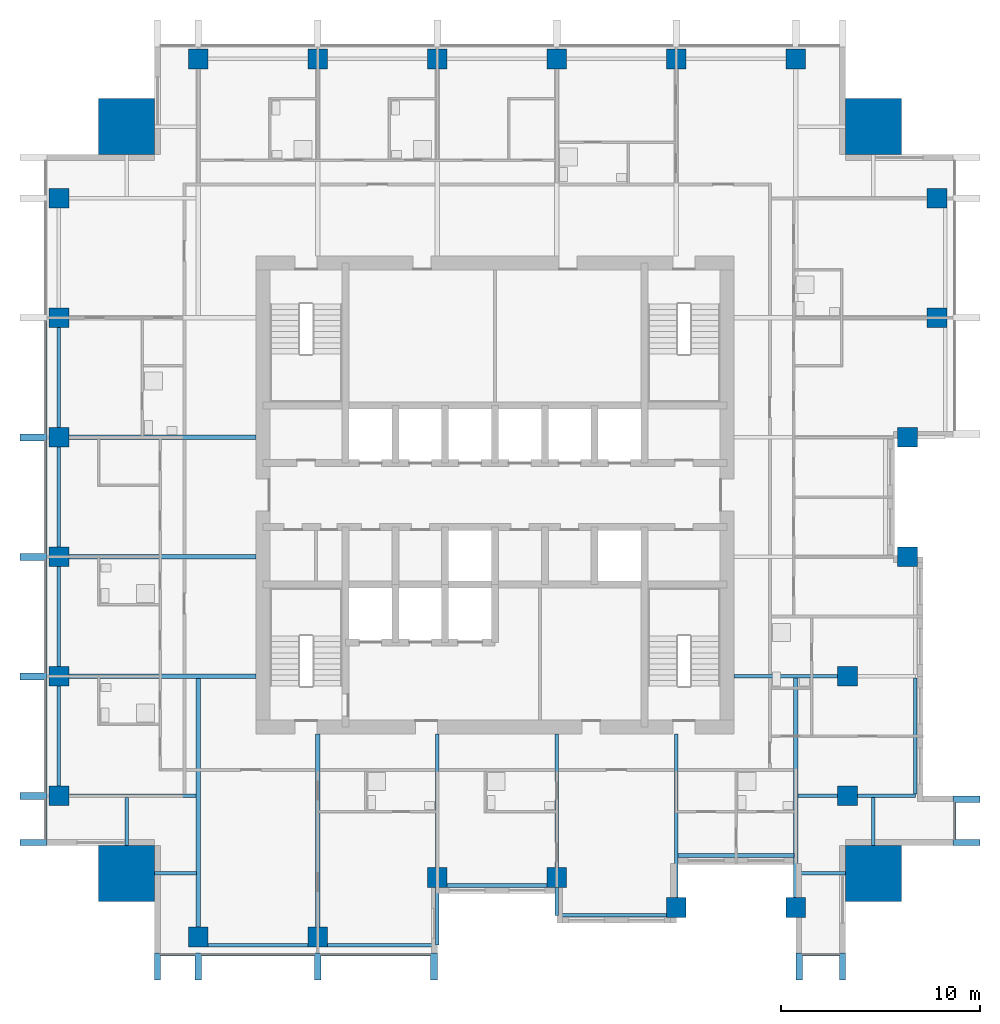
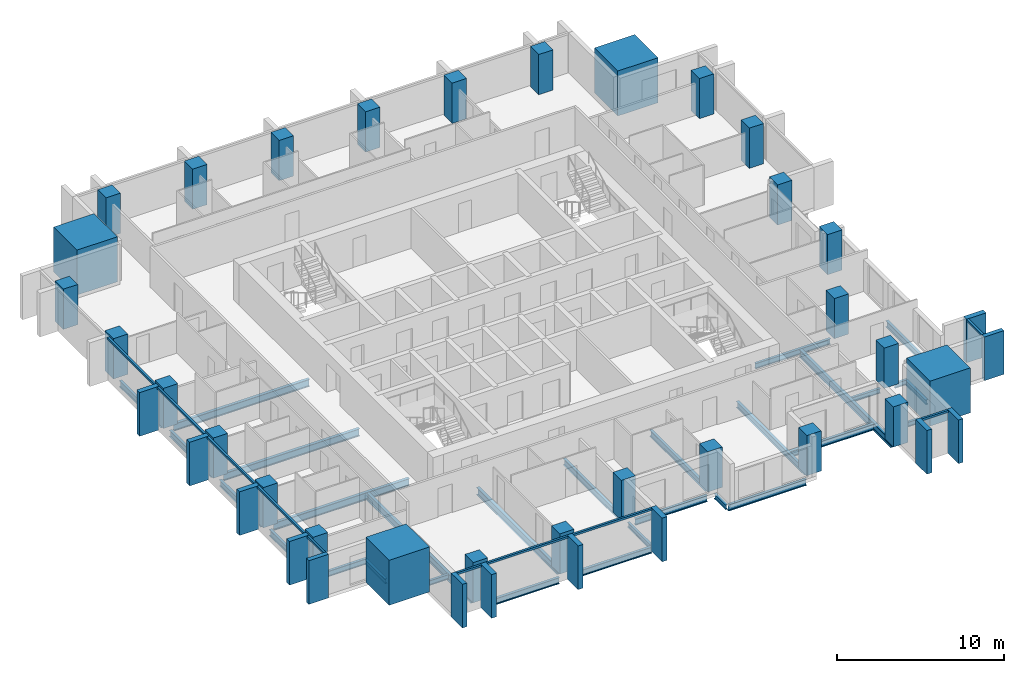
# One storey, part 1 of 10: 29 beams, 28 columns, 23 members, 4 elements without a shape of their own.
"""IFC4 building model written with IfcOpenShell, lengths in metres."""

from ifc_helpers import new_model, si_unit, direction, frame, origin, origin_2d, place, context, subcontext, project, spatial, rectangle, i_section, extrude, material, material_profile, profile_set, type_object, element, aggregate, save


model = new_model("IFC4")

# Units and contexts
model_context = context("Model", 3, precision=1e-05, world=origin(), true_north=direction((0.0, 1.0)))
body_context = subcontext(model_context, "Body", "Model", "MODEL_VIEW")
ifc_project = project(units=[si_unit("LENGTHUNIT", "METRE"), si_unit("AREAUNIT", "SQUARE_METRE"), si_unit("VOLUMEUNIT", "CUBIC_METRE"), si_unit("PLANEANGLEUNIT", "RADIAN"), si_unit("MASSUNIT", "GRAM", prefix="KILO")], contexts=[model_context])

# Site, building, storey
site_placement = place(None, origin())
site = spatial("IfcSite", under=ifc_project, at=site_placement, CompositionType="ELEMENT")
building_placement = place(site_placement, origin())
building = spatial("IfcBuilding", under=site, at=building_placement, Name="Amberfall Residences", CompositionType="ELEMENT")
storey_placement = place(building_placement, frame((0.0, 0.0, 174.699951171875)))
storey = spatial("IfcBuildingStorey", under=building, at=storey_placement, Name="L47", CompositionType="ELEMENT", Elevation=174.699951171875)

# Columns
ifc_material_1 = material(Name="Concrete C60", Category="concrete")
ifc_material_profile_1 = material_profile(ifc_material_1, rectangle(XDim=1.0, YDim=1.0, at=origin_2d()), Name="Column 1000 x 1000 C60")
ifc_profile_set_1 = profile_set([ifc_material_profile_1], Name="Concrete C60")
column_type_1 = type_object("IfcColumnType", Name="Column 1000 x 1000 C60", PredefinedType="COLUMN", material=ifc_profile_set_1)
for number, where, z_axis, x_axis, name in (
    (1, (59.60009765625, 23.300048828125, 0.0), (0.0, 0.0, 1.0), (1.0, 0.0, 0.0), "Column C3 L47 S1"),
    (2, (65.60009765625, 23.300048828125, 0.0), (0.0, 0.0, 1.0), (1.0, 0.0, 0.0), "Column C3 L47 S2"),
    (3, (71.60009765625, 26.300048828125, 0.0), (0.0, 0.0, 1.0), (1.0, 0.0, 0.0), "Column C3 L47 S3"),
    (4, (77.60009765625, 26.300048828125, 0.0), (0.0, 0.0, 1.0), (1.0, 0.0, 0.0), "Column C3 L47 S4"),
    (5, (83.60009765625, 24.800048828125, 0.0), (0.0, 0.0, 1.0), (1.0, 0.0, 0.0), "Column C3 L47 S5"),
    (6, (89.60009765625, 24.800048828125, 0.0), (0.0, 0.0, 1.0), (1.0, 0.0, 0.0), "Column C3 L47 S6"),
    (7, (92.199951171875, 30.39990234375, 0.0), (0.0, 0.0, 1.0), (1.0, 0.0, 0.0), "Column C3 L47 E1"),
    (8, (92.199951171875, 36.39990234375, 0.0), (0.0, 0.0, 1.0), (1.0, 0.0, 0.0), "Column C3 L47 E2"),
    (9, (95.199951171875, 42.39990234375, 0.0), (0.0, 0.0, 1.0), (1.0, 0.0, 0.0), "Column C3 L47 E3"),
    (10, (95.199951171875, 48.39990234375, 0.0), (0.0, 0.0, 1.0), (1.0, 0.0, 0.0), "Column C3 L47 E4"),
    (11, (96.699951171875, 54.39990234375, 0.0), (0.0, 0.0, 1.0), (1.0, 0.0, 0.0), "Column C3 L47 E5"),
    (12, (96.699951171875, 60.39990234375, 0.0), (0.0, 0.0, 1.0), (1.0, 0.0, 0.0), "Column C3 L47 E6"),
    (13, (59.60009765625, 67.39990234375, 0.0), (0.0, 0.0, 1.0), (1.0, 0.0, 0.0), "Column C3 L47 N1"),
    (14, (65.60009765625, 67.39990234375, 0.0), (0.0, 0.0, 1.0), (1.0, 0.0, 0.0), "Column C3 L47 N2"),
    (15, (71.60009765625, 67.39990234375, 0.0), (0.0, 0.0, 1.0), (1.0, 0.0, 0.0), "Column C3 L47 N3"),
    (16, (77.60009765625, 67.39990234375, 0.0), (0.0, 0.0, 1.0), (1.0, 0.0, 0.0), "Column C3 L47 N4"),
    (17, (83.60009765625, 67.39990234375, 0.0), (0.0, 0.0, 1.0), (1.0, 0.0, 0.0), "Column C3 L47 N5"),
    (18, (89.60009765625, 67.39990234375, 0.0), (0.0, 0.0, 1.0), (1.0, 0.0, 0.0), "Column C3 L47 N6"),
    (19, (52.60009765625, 30.39990234375, 0.0), (0.0, 0.0, 1.0), (1.0, 0.0, 0.0), "Column C3 L47 W1"),
    (20, (52.60009765625, 36.39990234375, 0.0), (0.0, 0.0, 1.0), (1.0, 0.0, 0.0), "Column C3 L47 W2"),
    (21, (52.60009765625, 42.39990234375, 0.0), (0.0, 0.0, 1.0), (1.0, 0.0, 0.0), "Column C3 L47 W3"),
    (22, (52.60009765625, 48.39990234375, 0.0), (0.0, 0.0, 1.0), (1.0, 0.0, 0.0), "Column C3 L47 W4"),
    (23, (52.60009765625, 54.39990234375, 0.0), (0.0, 0.0, 1.0), (1.0, 0.0, 0.0), "Column C3 L47 W5"),
    (24, (52.60009765625, 60.39990234375, 0.0), (0.0, 0.0, 1.0), (1.0, 0.0, 0.0), "Column C3 L47 W6"),
):
    element("IfcColumn", number, at=place(storey_placement, frame(where, z_axis=z_axis, x_axis=x_axis)), inside=storey, type_object=column_type_1, Name=name, PredefinedType="COLUMN", context=body_context, shape_type="SweptSolid", body=[
        extrude(rectangle(XDim=1.0, YDim=1.0, at=origin_2d()), origin(), (0.0, 0.0, 1.0), 2.949951171875),
    ])
ifc_material_profile_2 = material_profile(ifc_material_1, rectangle(XDim=2.800048828125, YDim=2.800048828125, at=origin_2d()), Name="Mega column 2800 x 2800 C60")
ifc_profile_set_2 = profile_set([ifc_material_profile_2], Name="Concrete C60")
column_type_2 = type_object("IfcColumnType", Name="Mega column 2800 x 2800 C60", PredefinedType="COLUMN", material=ifc_profile_set_2)
for number, where, z_axis, x_axis, name in (
    (25, (56.0, 26.5, 0.0), (0.0, 0.0, 1.0), (1.0, 0.0, 0.0), "Mega column MC5 L47 SW"),
    (26, (93.5, 26.5, 0.0), (0.0, 0.0, 1.0), (1.0, 0.0, 0.0), "Mega column MC5 L47 SE"),
    (27, (93.5, 64.0, 0.0), (0.0, 0.0, 1.0), (1.0, 0.0, 0.0), "Mega column MC5 L47 NE"),
    (28, (56.0, 64.0, 0.0), (0.0, 0.0, 1.0), (1.0, 0.0, 0.0), "Mega column MC5 L47 NW"),
):
    element("IfcColumn", number, at=place(storey_placement, frame(where, z_axis=z_axis, x_axis=x_axis)), inside=storey, type_object=column_type_2, Name=name, PredefinedType="COLUMN", context=body_context, shape_type="SweptSolid", body=[
        extrude(rectangle(XDim=2.800048828125, YDim=2.800048828125, at=origin_2d()), origin(), (0.0, 0.0, 1.0), 3.300048828125),
    ])

# Curtain wall, members
ifc_material_2 = material(Name="Bronze anodised aluminium and glass", Category="aluminium")
curtain_wall_type = type_object("IfcCurtainWallType", Name="Curtain wall CW1 tower unit", PredefinedType="USERDEFINED", material=ifc_material_2)
curtain_wall_1_placement = place(storey_placement, origin())
curtain_wall_1 = element("IfcCurtainWall", 29, at=curtain_wall_1_placement, inside=storey, type_object=curtain_wall_type, Name="Curtain wall L47 S S1", ObjectType="UNITISED CURTAIN WALL", PredefinedType="USERDEFINED")
ifc_material_3 = material(Name="Bronze anodised aluminium", Category="aluminium")
ifc_material_profile_3 = material_profile(ifc_material_3, rectangle(XDim=0.14990234375, YDim=0.14990234375, at=origin_2d()), Name="CW1 transom 150 x 150 bronze")
ifc_profile_set_3 = profile_set([ifc_material_profile_3], Name="Bronze anodised aluminium")
member_type_1 = type_object("IfcMemberType", Name="CW1 transom 150 x 150 bronze", PredefinedType="USERDEFINED", material=ifc_profile_set_3)
member_1_placement = place(storey_placement, frame((57.699951171875, 22.425048828125, 2.875), z_axis=(1.0, 0.0, 0.0), x_axis=(0.0, 1.0, 0.0)))
member_1 = element("IfcMember", 30, at=member_1_placement, type_object=member_type_1, Name="CW1 transom 1.1", ObjectType="TRANSOM", PredefinedType="USERDEFINED", context=body_context, shape_type="SweptSolid", body=[
    extrude(rectangle(XDim=0.14990234375, YDim=0.14990234375, at=origin_2d()), origin(), (0.0, 0.0, 1.0), 1.72509765625),
])
member_2_placement = place(storey_placement, frame((59.77490234375, 22.425048828125, 2.875), z_axis=(1.0, 0.0, 0.0), x_axis=(0.0, 1.0, 0.0)))
member_2 = element("IfcMember", 31, at=member_2_placement, type_object=member_type_1, Name="CW1 transom 2.1", ObjectType="TRANSOM", PredefinedType="USERDEFINED", context=body_context, shape_type="SweptSolid", body=[
    extrude(rectangle(XDim=0.14990234375, YDim=0.14990234375, at=origin_2d()), origin(), (0.0, 0.0, 1.0), 5.650146484375),
])
member_3_placement = place(storey_placement, frame((65.77490234375, 22.425048828125, 2.875), z_axis=(1.0, 0.0, 0.0), x_axis=(0.0, 1.0, 0.0)))
member_3 = element("IfcMember", 32, at=member_3_placement, type_object=member_type_1, Name="CW1 transom 3.1", ObjectType="TRANSOM", PredefinedType="USERDEFINED", context=body_context, shape_type="SweptSolid", body=[
    extrude(rectangle(XDim=0.14990234375, YDim=0.14990234375, at=origin_2d()), origin(), (0.0, 0.0, 1.0), 5.47509765625),
])

# Curtain wall, member
curtain_wall_2_placement = place(storey_placement, origin())
curtain_wall_2 = element("IfcCurtainWall", 33, at=curtain_wall_2_placement, inside=storey, type_object=curtain_wall_type, Name="Curtain wall L47 S S9", ObjectType="UNITISED CURTAIN WALL", PredefinedType="USERDEFINED")
member_4_placement = place(storey_placement, frame((89.949951171875, 22.425048828125, 2.875), z_axis=(1.0, 0.0, 0.0), x_axis=(0.0, 1.0, 0.0)))
member_4 = element("IfcMember", 34, at=member_4_placement, type_object=member_type_1, Name="CW1 transom 1.1", ObjectType="TRANSOM", PredefinedType="USERDEFINED", context=body_context, shape_type="SweptSolid", body=[
    extrude(rectangle(XDim=0.14990234375, YDim=0.14990234375, at=origin_2d()), origin(), (0.0, 0.0, 1.0), 1.85009765625),
])

curtain_wall_3_placement = place(storey_placement, origin())
curtain_wall_3 = element("IfcCurtainWall", 35, at=curtain_wall_3_placement, inside=storey, type_object=curtain_wall_type, Name="Curtain wall L47 E E1", ObjectType="UNITISED CURTAIN WALL", PredefinedType="USERDEFINED")
member_5_placement = place(storey_placement, frame((97.574951171875, 28.199951171875, 2.875), z_axis=(0.0, 1.0, 0.0), x_axis=(-1.0, 0.0, 0.0)))
member_5 = element("IfcMember", 36, at=member_5_placement, type_object=member_type_1, Name="CW1 transom 1.1", ObjectType="TRANSOM", PredefinedType="USERDEFINED", context=body_context, shape_type="SweptSolid", body=[
    extrude(rectangle(XDim=0.14990234375, YDim=0.14990234375, at=origin_2d()), origin(), (0.0, 0.0, 1.0), 1.85009765625),
])

# Curtain wall, members
curtain_wall_4_placement = place(storey_placement, origin())
curtain_wall_4 = element("IfcCurtainWall", 37, at=curtain_wall_4_placement, inside=storey, type_object=curtain_wall_type, Name="Curtain wall L47 W W1", ObjectType="UNITISED CURTAIN WALL", PredefinedType="USERDEFINED")
member_6_placement = place(storey_placement, frame((51.925048828125, 54.22509765625, 2.875), z_axis=(0.0, -1.0, 0.0), x_axis=(1.0, 0.0, 0.0)))
member_6 = element("IfcMember", 38, at=member_6_placement, type_object=member_type_1, Name="CW1 transom 3.1", ObjectType="TRANSOM", PredefinedType="USERDEFINED", context=body_context, shape_type="SweptSolid", body=[
    extrude(rectangle(XDim=0.14990234375, YDim=0.14990234375, at=origin_2d()), origin(), (0.0, 0.0, 1.0), 5.650146484375),
])
member_7_placement = place(storey_placement, frame((51.925048828125, 48.22509765625, 2.875), z_axis=(0.0, -1.0, 0.0), x_axis=(1.0, 0.0, 0.0)))
member_7 = element("IfcMember", 39, at=member_7_placement, type_object=member_type_1, Name="CW1 transom 4.1", ObjectType="TRANSOM", PredefinedType="USERDEFINED", context=body_context, shape_type="SweptSolid", body=[
    extrude(rectangle(XDim=0.14990234375, YDim=0.14990234375, at=origin_2d()), origin(), (0.0, 0.0, 1.0), 5.650146484375),
])
member_8_placement = place(storey_placement, frame((51.925048828125, 42.22509765625, 2.875), z_axis=(0.0, -1.0, 0.0), x_axis=(1.0, 0.0, 0.0)))
member_8 = element("IfcMember", 40, at=member_8_placement, type_object=member_type_1, Name="CW1 transom 5.1", ObjectType="TRANSOM", PredefinedType="USERDEFINED", context=body_context, shape_type="SweptSolid", body=[
    extrude(rectangle(XDim=0.14990234375, YDim=0.14990234375, at=origin_2d()), origin(), (0.0, 0.0, 1.0), 5.650146484375),
])
member_9_placement = place(storey_placement, frame((51.925048828125, 36.22509765625, 2.875), z_axis=(0.0, -1.0, 0.0), x_axis=(1.0, 0.0, 0.0)))
member_9 = element("IfcMember", 41, at=member_9_placement, type_object=member_type_1, Name="CW1 transom 6.1", ObjectType="TRANSOM", PredefinedType="USERDEFINED", context=body_context, shape_type="SweptSolid", body=[
    extrude(rectangle(XDim=0.14990234375, YDim=0.14990234375, at=origin_2d()), origin(), (0.0, 0.0, 1.0), 5.650146484375),
])
member_10_placement = place(storey_placement, frame((51.925048828125, 30.22509765625, 2.875), z_axis=(0.0, -1.0, 0.0), x_axis=(1.0, 0.0, 0.0)))
member_10 = element("IfcMember", 42, at=member_10_placement, type_object=member_type_1, Name="CW1 transom 7.1", ObjectType="TRANSOM", PredefinedType="USERDEFINED", context=body_context, shape_type="SweptSolid", body=[
    extrude(rectangle(XDim=0.14990234375, YDim=0.14990234375, at=origin_2d()), origin(), (0.0, 0.0, 1.0), 2.025146484375),
])

# Beams
ifc_material_4 = material(Name="Steel S355", Category="steel")
ifc_material_profile_4 = material_profile(ifc_material_4, i_section(OverallWidth=0.171142578125, OverallDepth=0.351318359375, WebThickness=0.007080078125, FlangeThickness=0.009765625, FilletRadius=0.01025390625, at=origin_2d()), Name="UB 356x171x45")
ifc_profile_set_4 = profile_set([ifc_material_profile_4], Name="Steel S355")
beam_type_1 = type_object("IfcBeamType", Name="Cantilever girder UB 356x171x45", PredefinedType="BEAM", material=ifc_profile_set_4)
beam_1_placement = place(storey_placement, frame((71.60009765625, 25.800048828125, -0.425537109375), z_axis=(0.0, -1.0, 0.0), x_axis=(1.0, 0.0, 0.0)))
element("IfcBeam", 43, at=beam_1_placement, inside=storey, type_object=beam_type_1, Name="Cantilever girder B8 L47 06", PredefinedType="BEAM", context=body_context, shape_type="SweptSolid", body=[
    extrude(i_section(OverallWidth=0.171142578125, OverallDepth=0.351318359375, WebThickness=0.007080078125, FlangeThickness=0.009765625, FilletRadius=0.01025390625, at=origin_2d()), origin(), (0.0, 0.0, 1.0), 2.900146484375),
])
beam_2_placement = place(storey_placement, frame((77.60009765625, 25.800048828125, -0.425537109375), z_axis=(0.0, -1.0, 0.0), x_axis=(1.0, 0.0, 0.0)))
element("IfcBeam", 44, at=beam_2_placement, inside=storey, type_object=beam_type_1, Name="Cantilever girder B8 L47 07", PredefinedType="BEAM", context=body_context, shape_type="SweptSolid", body=[
    extrude(i_section(OverallWidth=0.171142578125, OverallDepth=0.351318359375, WebThickness=0.007080078125, FlangeThickness=0.009765625, FilletRadius=0.01025390625, at=origin_2d()), origin(), (0.0, 0.0, 1.0), 1.400146484375),
])
beam_3_placement = place(storey_placement, frame((92.699951171875, 30.39990234375, -0.425537109375), z_axis=(1.0, 0.0, 0.0), x_axis=(0.0, 1.0, 0.0)))
element("IfcBeam", 45, at=beam_3_placement, inside=storey, type_object=beam_type_1, Name="Cantilever girder B8 L47 19", PredefinedType="BEAM", context=body_context, shape_type="SweptSolid", body=[
    extrude(i_section(OverallWidth=0.171142578125, OverallDepth=0.351318359375, WebThickness=0.007080078125, FlangeThickness=0.009765625, FilletRadius=0.01025390625, at=origin_2d()), origin(), (0.0, 0.0, 1.0), 2.900146484375),
])

# Member
ifc_material_profile_5 = material_profile(ifc_material_3, rectangle(XDim=1.35009765625, YDim=0.300048828125, at=origin_2d()), Name="Corner fin 300 x 1350 bronze")
ifc_profile_set_5 = profile_set([ifc_material_profile_5], Name="Bronze anodised aluminium")
member_type_2 = type_object("IfcMemberType", Name="Corner fin 300 x 1350 bronze", PredefinedType="MULLION", material=ifc_profile_set_5)
member_11_placement = place(storey_placement, frame((57.550048828125, 21.824951171875, -0.25), z_axis=(0.0, 0.0, 1.0), x_axis=(0.0, 1.0, 0.0)))
member_11 = element("IfcMember", 46, at=member_11_placement, type_object=member_type_2, Name="CW FIN 1", PredefinedType="MULLION", context=body_context, shape_type="SweptSolid", body=[
    extrude(rectangle(XDim=1.35009765625, YDim=0.300048828125, at=origin_2d()), origin(), (0.0, 0.0, 1.0), 3.199951171875),
])

member_12_placement = place(storey_placement, frame((91.949951171875, 21.824951171875, -0.25), z_axis=(0.0, 0.0, 1.0), x_axis=(0.0, 1.0, 0.0)))
member_12 = element("IfcMember", 47, at=member_12_placement, type_object=member_type_2, Name="CW FIN 2", PredefinedType="MULLION", context=body_context, shape_type="SweptSolid", body=[
    extrude(rectangle(XDim=1.35009765625, YDim=0.300048828125, at=origin_2d()), origin(), (0.0, 0.0, 1.0), 3.199951171875),
])

member_13_placement = place(storey_placement, frame((98.175048828125, 28.050048828125, -0.25), z_axis=(0.0, 0.0, 1.0), x_axis=(-1.0, 0.0, 0.0)))
member_13 = element("IfcMember", 48, at=member_13_placement, type_object=member_type_2, Name="CW FIN 1", PredefinedType="MULLION", context=body_context, shape_type="SweptSolid", body=[
    extrude(rectangle(XDim=1.35009765625, YDim=0.300048828125, at=origin_2d()), origin(), (0.0, 0.0, 1.0), 3.199951171875),
])

member_14_placement = place(storey_placement, frame((51.324951171875, 28.050048828125, -0.25), z_axis=(0.0, 0.0, 1.0), x_axis=(1.0, 0.0, 0.0)))
member_14 = element("IfcMember", 49, at=member_14_placement, type_object=member_type_2, Name="CW FIN 8", PredefinedType="MULLION", context=body_context, shape_type="SweptSolid", body=[
    extrude(rectangle(XDim=1.35009765625, YDim=0.300048828125, at=origin_2d()), origin(), (0.0, 0.0, 1.0), 3.199951171875),
])

# Beams
ifc_material_profile_6 = material_profile(ifc_material_4, i_section(OverallWidth=0.18994140625, OverallDepth=0.453369140625, WebThickness=0.008544921875, FlangeThickness=0.0126953125, FilletRadius=0.01025390625, at=origin_2d()), Name="UB 457x191x67")
ifc_profile_set_6 = profile_set([ifc_material_profile_6], Name="Steel S355")
beam_type_2 = type_object("IfcBeamType", Name="Edge beam UB 457x191x67", PredefinedType="SPANDREL", material=ifc_profile_set_6)
beam_4_placement = place(storey_placement, frame((60.10009765625, 22.89990234375, -0.4765625), z_axis=(1.0, 0.0, 0.0), x_axis=(0.0, 1.0, 0.0)))
element("IfcBeam", 50, at=beam_4_placement, inside=storey, type_object=beam_type_2, Name="Edge beam B1 L47 01", PredefinedType="SPANDREL", context=body_context, shape_type="SweptSolid", body=[
    extrude(i_section(OverallWidth=0.18994140625, OverallDepth=0.453369140625, WebThickness=0.008544921875, FlangeThickness=0.0126953125, FilletRadius=0.01025390625, at=origin_2d()), origin(), (0.0, 0.0, 1.0), 5.0),
])
beam_5_placement = place(storey_placement, frame((66.10009765625, 22.89990234375, -0.4765625), z_axis=(1.0, 0.0, 0.0), x_axis=(0.0, 1.0, 0.0)))
element("IfcBeam", 51, at=beam_5_placement, inside=storey, type_object=beam_type_2, Name="Edge beam B1 L47 02", PredefinedType="SPANDREL", context=body_context, shape_type="SweptSolid", body=[
    extrude(i_section(OverallWidth=0.18994140625, OverallDepth=0.453369140625, WebThickness=0.008544921875, FlangeThickness=0.0126953125, FilletRadius=0.01025390625, at=origin_2d()), origin(), (0.0, 0.0, 1.0), 5.419921875),
])
beam_6_placement = place(storey_placement, frame((72.10009765625, 25.89990234375, -0.4765625), z_axis=(1.0, 0.0, 0.0), x_axis=(0.0, 1.0, 0.0)))
element("IfcBeam", 52, at=beam_6_placement, inside=storey, type_object=beam_type_2, Name="Edge beam B1 L47 03", PredefinedType="SPANDREL", context=body_context, shape_type="SweptSolid", body=[
    extrude(i_section(OverallWidth=0.18994140625, OverallDepth=0.453369140625, WebThickness=0.008544921875, FlangeThickness=0.0126953125, FilletRadius=0.01025390625, at=origin_2d()), origin(), (0.0, 0.0, 1.0), 5.0),
])
beam_7_placement = place(storey_placement, frame((77.679931640625, 24.39990234375, -0.4765625), z_axis=(1.0, 0.0, 0.0), x_axis=(0.0, 1.0, 0.0)))
element("IfcBeam", 53, at=beam_7_placement, inside=storey, type_object=beam_type_2, Name="Edge beam B1 L47 04", PredefinedType="SPANDREL", context=body_context, shape_type="SweptSolid", body=[
    extrude(i_section(OverallWidth=0.18994140625, OverallDepth=0.453369140625, WebThickness=0.008544921875, FlangeThickness=0.0126953125, FilletRadius=0.01025390625, at=origin_2d()), origin(), (0.0, 0.0, 1.0), 5.420166015625),
])
for number, where, z_axis, x_axis, name in (
    (54, (83.679931640625, 27.39990234375, -0.4765625), (1.0, 0.0, 0.0), (0.0, 1.0, 0.0), "Edge beam B1 L47 05"),
    (55, (95.60009765625, 30.47998046875, -0.4765625), (0.0, 1.0, 0.0), (-1.0, 0.0, 0.0), "Edge beam B1 L47 14"),
):
    element("IfcBeam", number, at=place(storey_placement, frame(where, z_axis=z_axis, x_axis=x_axis)), inside=storey, type_object=beam_type_2, Name=name, PredefinedType="SPANDREL", context=body_context, shape_type="SweptSolid", body=[
        extrude(i_section(OverallWidth=0.18994140625, OverallDepth=0.453369140625, WebThickness=0.008544921875, FlangeThickness=0.0126953125, FilletRadius=0.01025390625, at=origin_2d()), origin(), (0.0, 0.0, 1.0), 5.840087890625),
    ])
for number, where, z_axis, x_axis, name in (
    (56, (52.60009765625, 30.89990234375, -0.4765625), (0.0, 1.0, 0.0), (-1.0, 0.0, 0.0), "Edge beam B1 L47 39"),
    (57, (52.60009765625, 36.89990234375, -0.4765625), (0.0, 1.0, 0.0), (-1.0, 0.0, 0.0), "Edge beam B1 L47 40"),
    (58, (52.60009765625, 42.89990234375, -0.4765625), (0.0, 1.0, 0.0), (-1.0, 0.0, 0.0), "Edge beam B1 L47 41"),
    (59, (52.60009765625, 48.89990234375, -0.4765625), (0.0, 1.0, 0.0), (-1.0, 0.0, 0.0), "Edge beam B1 L47 42"),
):
    element("IfcBeam", number, at=place(storey_placement, frame(where, z_axis=z_axis, x_axis=x_axis)), inside=storey, type_object=beam_type_2, Name=name, PredefinedType="SPANDREL", context=body_context, shape_type="SweptSolid", body=[
        extrude(i_section(OverallWidth=0.18994140625, OverallDepth=0.453369140625, WebThickness=0.008544921875, FlangeThickness=0.0126953125, FilletRadius=0.01025390625, at=origin_2d()), origin(), (0.0, 0.0, 1.0), 5.0),
    ])

# Member
ifc_material_profile_7 = material_profile(ifc_material_3, rectangle(XDim=1.35009765625, YDim=0.35009765625, at=origin_2d()), Name="Fin 350 x 1350 bronze")
ifc_profile_set_7 = profile_set([ifc_material_profile_7], Name="Bronze anodised aluminium")
member_type_3 = type_object("IfcMemberType", Name="Fin 350 x 1350 bronze", PredefinedType="MULLION", material=ifc_profile_set_7)
member_15_placement = place(storey_placement, frame((59.60009765625, 21.824951171875, -0.25), z_axis=(0.0, 0.0, 1.0), x_axis=(0.0, 1.0, 0.0)))
member_15 = element("IfcMember", 60, at=member_15_placement, type_object=member_type_3, Name="CW FIN 2", PredefinedType="MULLION", context=body_context, shape_type="SweptSolid", body=[
    extrude(rectangle(XDim=1.35009765625, YDim=0.35009765625, at=origin_2d()), origin(), (0.0, 0.0, 1.0), 3.199951171875),
])

member_16_placement = place(storey_placement, frame((65.60009765625, 21.824951171875, -0.25), z_axis=(0.0, 0.0, 1.0), x_axis=(0.0, 1.0, 0.0)))
member_16 = element("IfcMember", 61, at=member_16_placement, type_object=member_type_3, Name="CW FIN 3", PredefinedType="MULLION", context=body_context, shape_type="SweptSolid", body=[
    extrude(rectangle(XDim=1.35009765625, YDim=0.35009765625, at=origin_2d()), origin(), (0.0, 0.0, 1.0), 3.199951171875),
])

member_17_placement = place(storey_placement, frame((71.425048828125, 21.824951171875, -0.25), z_axis=(0.0, 0.0, 1.0), x_axis=(0.0, 1.0, 0.0)))
member_17 = element("IfcMember", 62, at=member_17_placement, type_object=member_type_3, Name="CW FIN 4", PredefinedType="MULLION", context=body_context, shape_type="SweptSolid", body=[
    extrude(rectangle(XDim=1.35009765625, YDim=0.35009765625, at=origin_2d()), origin(), (0.0, 0.0, 1.0), 3.199951171875),
])

aggregate(curtain_wall_1, [member_11, member_15, member_16, member_17, member_1, member_2, member_3])

member_18_placement = place(storey_placement, frame((89.77490234375, 21.824951171875, -0.25), z_axis=(0.0, 0.0, 1.0), x_axis=(0.0, 1.0, 0.0)))
member_18 = element("IfcMember", 63, at=member_18_placement, type_object=member_type_3, Name="CW FIN 1", PredefinedType="MULLION", context=body_context, shape_type="SweptSolid", body=[
    extrude(rectangle(XDim=1.35009765625, YDim=0.35009765625, at=origin_2d()), origin(), (0.0, 0.0, 1.0), 3.199951171875),
])

aggregate(curtain_wall_2, [member_18, member_12, member_4])

member_19_placement = place(storey_placement, frame((98.175048828125, 30.22509765625, -0.25), z_axis=(0.0, 0.0, 1.0), x_axis=(-1.0, 0.0, 0.0)))
member_19 = element("IfcMember", 64, at=member_19_placement, type_object=member_type_3, Name="CW FIN 2", PredefinedType="MULLION", context=body_context, shape_type="SweptSolid", body=[
    extrude(rectangle(XDim=1.35009765625, YDim=0.35009765625, at=origin_2d()), origin(), (0.0, 0.0, 1.0), 3.199951171875),
])

aggregate(curtain_wall_3, [member_13, member_19, member_5])

member_20_placement = place(storey_placement, frame((51.324951171875, 48.39990234375, -0.25), z_axis=(0.0, 0.0, 1.0), x_axis=(1.0, 0.0, 0.0)))
member_20 = element("IfcMember", 65, at=member_20_placement, type_object=member_type_3, Name="CW FIN 4", PredefinedType="MULLION", context=body_context, shape_type="SweptSolid", body=[
    extrude(rectangle(XDim=1.35009765625, YDim=0.35009765625, at=origin_2d()), origin(), (0.0, 0.0, 1.0), 3.199951171875),
])

member_21_placement = place(storey_placement, frame((51.324951171875, 42.39990234375, -0.25), z_axis=(0.0, 0.0, 1.0), x_axis=(1.0, 0.0, 0.0)))
member_21 = element("IfcMember", 66, at=member_21_placement, type_object=member_type_3, Name="CW FIN 5", PredefinedType="MULLION", context=body_context, shape_type="SweptSolid", body=[
    extrude(rectangle(XDim=1.35009765625, YDim=0.35009765625, at=origin_2d()), origin(), (0.0, 0.0, 1.0), 3.199951171875),
])

member_22_placement = place(storey_placement, frame((51.324951171875, 36.39990234375, -0.25), z_axis=(0.0, 0.0, 1.0), x_axis=(1.0, 0.0, 0.0)))
member_22 = element("IfcMember", 67, at=member_22_placement, type_object=member_type_3, Name="CW FIN 6", PredefinedType="MULLION", context=body_context, shape_type="SweptSolid", body=[
    extrude(rectangle(XDim=1.35009765625, YDim=0.35009765625, at=origin_2d()), origin(), (0.0, 0.0, 1.0), 3.199951171875),
])

member_23_placement = place(storey_placement, frame((51.324951171875, 30.39990234375, -0.25), z_axis=(0.0, 0.0, 1.0), x_axis=(1.0, 0.0, 0.0)))
member_23 = element("IfcMember", 68, at=member_23_placement, type_object=member_type_3, Name="CW FIN 7", PredefinedType="MULLION", context=body_context, shape_type="SweptSolid", body=[
    extrude(rectangle(XDim=1.35009765625, YDim=0.35009765625, at=origin_2d()), origin(), (0.0, 0.0, 1.0), 3.199951171875),
])

aggregate(curtain_wall_4, [member_20, member_21, member_22, member_23, member_14, member_6, member_7, member_8, member_9, member_10])

# Beams
ifc_material_profile_8 = material_profile(ifc_material_4, i_section(OverallWidth=0.171142578125, OverallDepth=0.351318359375, WebThickness=0.007080078125, FlangeThickness=0.009765625, FilletRadius=0.01025390625, at=origin_2d()), Name="UB 356x171x45")
ifc_profile_set_8 = profile_set([ifc_material_profile_8], Name="Steel S355")
beam_type_3 = type_object("IfcBeamType", Name="Floor girder UB 356x171x45", PredefinedType="BEAM", material=ifc_profile_set_8)
beam_8_placement = place(storey_placement, frame((91.699951171875, 30.39990234375, -0.425537109375), z_axis=(-1.0, 0.0, 0.0), x_axis=(0.0, -1.0, 0.0)))
element("IfcBeam", 69, at=beam_8_placement, inside=storey, type_object=beam_type_3, Name="Floor girder B11 L47 22", PredefinedType="BEAM", context=body_context, shape_type="SweptSolid", body=[
    extrude(i_section(OverallWidth=0.171142578125, OverallDepth=0.351318359375, WebThickness=0.007080078125, FlangeThickness=0.009765625, FilletRadius=0.01025390625, at=origin_2d()), origin(), (0.0, 0.0, 1.0), 1.97998046875),
])
ifc_material_profile_9 = material_profile(ifc_material_4, i_section(OverallWidth=0.177734375, OverallDepth=0.402587890625, WebThickness=0.0078125, FlangeThickness=0.010986328125, FilletRadius=0.01025390625, at=origin_2d()), Name="UB 406x178x54")
ifc_profile_set_9 = profile_set([ifc_material_profile_9], Name="Steel S355")
beam_type_4 = type_object("IfcBeamType", Name="Floor girder UB 406x178x54", PredefinedType="BEAM", material=ifc_profile_set_9)
beam_9_placement = place(storey_placement, frame((91.699951171875, 36.39990234375, -0.451171875), z_axis=(-1.0, 0.0, 0.0), x_axis=(0.0, -1.0, 0.0)))
element("IfcBeam", 70, at=beam_9_placement, inside=storey, type_object=beam_type_4, Name="Floor girder B4 L47 23", PredefinedType="BEAM", context=body_context, shape_type="SweptSolid", body=[
    extrude(i_section(OverallWidth=0.177734375, OverallDepth=0.402587890625, WebThickness=0.0078125, FlangeThickness=0.010986328125, FilletRadius=0.01025390625, at=origin_2d()), origin(), (0.0, 0.0, 1.0), 5.199951171875),
])
beam_10_placement = place(storey_placement, frame((53.10009765625, 30.39990234375, -0.451171875), z_axis=(1.0, 0.0, 0.0), x_axis=(0.0, 1.0, 0.0)))
element("IfcBeam", 71, at=beam_10_placement, inside=storey, type_object=beam_type_4, Name="Floor girder B4 L47 44", PredefinedType="BEAM", context=body_context, shape_type="SweptSolid", body=[
    extrude(i_section(OverallWidth=0.177734375, OverallDepth=0.402587890625, WebThickness=0.0078125, FlangeThickness=0.010986328125, FilletRadius=0.01025390625, at=origin_2d()), origin(), (0.0, 0.0, 1.0), 6.3798828125),
])
ifc_material_profile_10 = material_profile(ifc_material_4, i_section(OverallWidth=0.19140625, OverallDepth=0.4599609375, WebThickness=0.010009765625, FlangeThickness=0.01611328125, FilletRadius=0.01025390625, at=origin_2d()), Name="UB 457x191x82")
ifc_profile_set_10 = profile_set([ifc_material_profile_10], Name="Steel S355")
beam_type_5 = type_object("IfcBeamType", Name="Floor girder UB 457x191x82", PredefinedType="BEAM", material=ifc_profile_set_10)
for number, where, z_axis, x_axis, name in (
    (72, (71.60009765625, 26.800048828125, -0.47998046875), (0.0, 1.0, 0.0), (-1.0, 0.0, 0.0), "Floor girder B10 L47 10"),
    (73, (77.60009765625, 26.800048828125, -0.47998046875), (0.0, 1.0, 0.0), (-1.0, 0.0, 0.0), "Floor girder B10 L47 11"),
):
    element("IfcBeam", number, at=place(storey_placement, frame(where, z_axis=z_axis, x_axis=x_axis)), inside=storey, type_object=beam_type_5, Name=name, PredefinedType="BEAM", context=body_context, shape_type="SweptSolid", body=[
        extrude(i_section(OverallWidth=0.19140625, OverallDepth=0.4599609375, WebThickness=0.010009765625, FlangeThickness=0.01611328125, FilletRadius=0.01025390625, at=origin_2d()), origin(), (0.0, 0.0, 1.0), 6.699951171875),
    ])
beam_11_placement = place(storey_placement, frame((83.60009765625, 25.300048828125, -0.47998046875), z_axis=(0.0, 1.0, 0.0), x_axis=(-1.0, 0.0, 0.0)))
element("IfcBeam", 74, at=beam_11_placement, inside=storey, type_object=beam_type_5, Name="Floor girder B10 L47 12", PredefinedType="BEAM", context=body_context, shape_type="SweptSolid", body=[
    extrude(i_section(OverallWidth=0.19140625, OverallDepth=0.4599609375, WebThickness=0.010009765625, FlangeThickness=0.01611328125, FilletRadius=0.01025390625, at=origin_2d()), origin(), (0.0, 0.0, 1.0), 8.199951171875),
])
ifc_material_profile_11 = material_profile(ifc_material_4, i_section(OverallWidth=0.210693359375, OverallDepth=0.53955078125, WebThickness=0.01171875, FlangeThickness=0.018798828125, FilletRadius=0.0126953125, at=origin_2d()), Name="UB 533x210x109")
ifc_profile_set_11 = profile_set([ifc_material_profile_11], Name="Steel S355")
beam_type_6 = type_object("IfcBeamType", Name="Floor girder UB 533x210x109", PredefinedType="BEAM", material=ifc_profile_set_11)
beam_12_placement = place(storey_placement, frame((59.60009765625, 23.800048828125, -0.519775390625), z_axis=(0.0, 1.0, 0.0), x_axis=(-1.0, 0.0, 0.0)))
element("IfcBeam", 75, at=beam_12_placement, inside=storey, type_object=beam_type_6, Name="Floor girder B2 L47 08", PredefinedType="BEAM", context=body_context, shape_type="SweptSolid", body=[
    extrude(i_section(OverallWidth=0.210693359375, OverallDepth=0.53955078125, WebThickness=0.01171875, FlangeThickness=0.018798828125, FilletRadius=0.0126953125, at=origin_2d()), origin(), (0.0, 0.0, 1.0), 12.500244140625),
])
beam_13_placement = place(storey_placement, frame((89.60009765625, 25.300048828125, -0.519775390625), z_axis=(0.0, 1.0, 0.0), x_axis=(-1.0, 0.0, 0.0)))
element("IfcBeam", 76, at=beam_13_placement, inside=storey, type_object=beam_type_6, Name="Floor girder B2 L47 13", PredefinedType="BEAM", context=body_context, shape_type="SweptSolid", body=[
    extrude(i_section(OverallWidth=0.210693359375, OverallDepth=0.53955078125, WebThickness=0.01171875, FlangeThickness=0.018798828125, FilletRadius=0.0126953125, at=origin_2d()), origin(), (0.0, 0.0, 1.0), 11.01611328125),
])
ifc_material_profile_12 = material_profile(ifc_material_4, i_section(OverallWidth=0.209228515625, OverallDepth=0.533203125, WebThickness=0.010009765625, FlangeThickness=0.015625, FilletRadius=0.0126953125, at=origin_2d()), Name="UB 533x210x92")
ifc_profile_set_12 = profile_set([ifc_material_profile_12], Name="Steel S355")
beam_type_7 = type_object("IfcBeamType", Name="Floor girder UB 533x210x92", PredefinedType="BEAM", material=ifc_profile_set_12)
beam_14_placement = place(storey_placement, frame((65.60009765625, 23.800048828125, -0.5166015625), z_axis=(0.0, 1.0, 0.0), x_axis=(-1.0, 0.0, 0.0)))
element("IfcBeam", 77, at=beam_14_placement, inside=storey, type_object=beam_type_7, Name="Floor girder B3 L47 09", PredefinedType="BEAM", context=body_context, shape_type="SweptSolid", body=[
    extrude(i_section(OverallWidth=0.209228515625, OverallDepth=0.533203125, WebThickness=0.010009765625, FlangeThickness=0.015625, FilletRadius=0.0126953125, at=origin_2d()), origin(), (0.0, 0.0, 1.0), 9.699951171875),
])
for number, where, z_axis, x_axis, name in (
    (78, (53.10009765625, 36.39990234375, -0.5166015625), (1.0, 0.0, 0.0), (0.0, 1.0, 0.0), "Floor girder B3 L47 45"),
    (79, (53.10009765625, 42.39990234375, -0.5166015625), (1.0, 0.0, 0.0), (0.0, 1.0, 0.0), "Floor girder B3 L47 46"),
    (80, (53.10009765625, 48.39990234375, -0.5166015625), (1.0, 0.0, 0.0), (0.0, 1.0, 0.0), "Floor girder B3 L47 47"),
):
    element("IfcBeam", number, at=place(storey_placement, frame(where, z_axis=z_axis, x_axis=x_axis)), inside=storey, type_object=beam_type_7, Name=name, PredefinedType="BEAM", context=body_context, shape_type="SweptSolid", body=[
        extrude(i_section(OverallWidth=0.209228515625, OverallDepth=0.533203125, WebThickness=0.010009765625, FlangeThickness=0.015625, FilletRadius=0.0126953125, at=origin_2d()), origin(), (0.0, 0.0, 1.0), 9.39990234375),
    ])
ifc_material_profile_13 = material_profile(ifc_material_4, i_section(OverallWidth=0.171142578125, OverallDepth=0.351318359375, WebThickness=0.007080078125, FlangeThickness=0.009765625, FilletRadius=0.01025390625, at=origin_2d()), Name="UB 356x171x45")
ifc_profile_set_13 = profile_set([ifc_material_profile_13], Name="Steel S355")
beam_type_8 = type_object("IfcBeamType", Name="Link beam UB 356x171x45", PredefinedType="BEAM", material=ifc_profile_set_13)
beam_15_placement = place(storey_placement, frame((57.39990234375, 26.5, -0.425537109375), z_axis=(1.0, 0.0, 0.0), x_axis=(0.0, 1.0, 0.0)))
element("IfcBeam", 81, at=beam_15_placement, inside=storey, type_object=beam_type_8, Name="Link beam B7 L47 50", PredefinedType="BEAM", context=body_context, shape_type="SweptSolid", body=[
    extrude(i_section(OverallWidth=0.171142578125, OverallDepth=0.351318359375, WebThickness=0.007080078125, FlangeThickness=0.009765625, FilletRadius=0.01025390625, at=origin_2d()), origin(), (0.0, 0.0, 1.0), 2.104736328125),
])
beam_16_placement = place(storey_placement, frame((56.0, 27.89990234375, -0.425537109375), z_axis=(0.0, 1.0, 0.0), x_axis=(-1.0, 0.0, 0.0)))
element("IfcBeam", 82, at=beam_16_placement, inside=storey, type_object=beam_type_8, Name="Link beam B7 L47 51", PredefinedType="BEAM", context=body_context, shape_type="SweptSolid", body=[
    extrude(i_section(OverallWidth=0.171142578125, OverallDepth=0.351318359375, WebThickness=0.007080078125, FlangeThickness=0.009765625, FilletRadius=0.01025390625, at=origin_2d()), origin(), (0.0, 0.0, 1.0), 2.42138671875),
])
beam_17_placement = place(storey_placement, frame((92.10009765625, 26.5, -0.425537109375), z_axis=(-1.0, 0.0, 0.0), x_axis=(0.0, -1.0, 0.0)))
element("IfcBeam", 83, at=beam_17_placement, inside=storey, type_object=beam_type_8, Name="Link beam B7 L47 52", PredefinedType="BEAM", context=body_context, shape_type="SweptSolid", body=[
    extrude(i_section(OverallWidth=0.171142578125, OverallDepth=0.351318359375, WebThickness=0.007080078125, FlangeThickness=0.009765625, FilletRadius=0.01025390625, at=origin_2d()), origin(), (0.0, 0.0, 1.0), 2.405517578125),
])
beam_18_placement = place(storey_placement, frame((93.5, 27.89990234375, -0.425537109375), z_axis=(0.0, 1.0, 0.0), x_axis=(-1.0, 0.0, 0.0)))
element("IfcBeam", 84, at=beam_18_placement, inside=storey, type_object=beam_type_8, Name="Link beam B7 L47 53", PredefinedType="BEAM", context=body_context, shape_type="SweptSolid", body=[
    extrude(i_section(OverallWidth=0.171142578125, OverallDepth=0.351318359375, WebThickness=0.007080078125, FlangeThickness=0.009765625, FilletRadius=0.01025390625, at=origin_2d()), origin(), (0.0, 0.0, 1.0), 2.424560546875),
])

save(model, "model.ifc")
